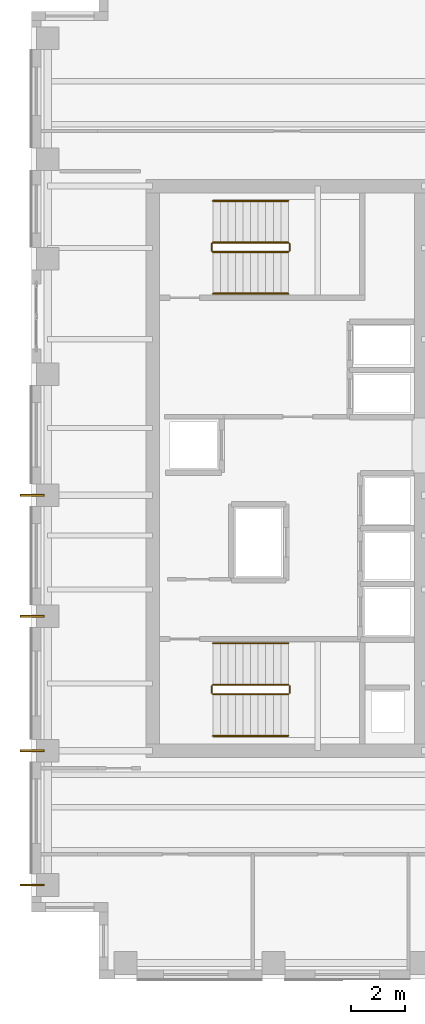
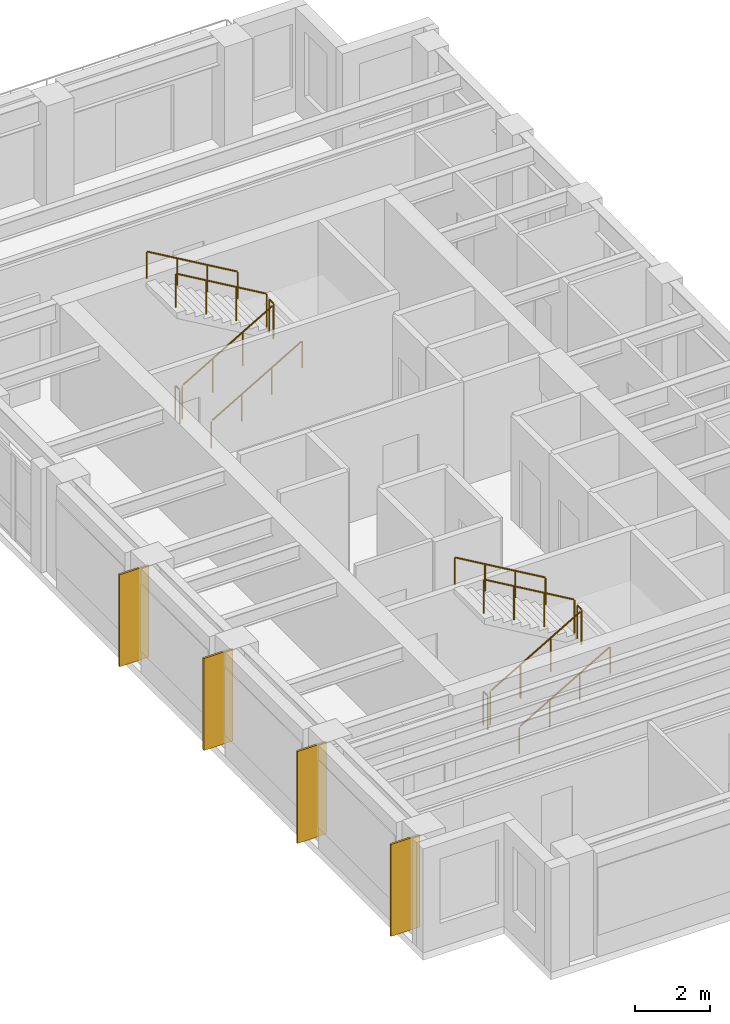
# One storey, part 12 of 14: 12 railings, 4 coverings.
"""IFC4 building model written with IfcOpenShell, lengths in metres."""

from ifc_helpers import new_model, si_unit, direction, frame, origin, origin_2d, place, context, subcontext, project, spatial, rectangle, circle, extrude, source, transform, mapped, material, layer, layer_set, type_object, element, save


model = new_model("IFC4")

# Units and contexts
model_context = context("Model", 3, precision=1e-05, world=origin(), true_north=direction((0.0, 1.0)))
body_context = subcontext(model_context, "Body", "Model", "MODEL_VIEW")
ifc_project = project(units=[si_unit("LENGTHUNIT", "METRE"), si_unit("AREAUNIT", "SQUARE_METRE"), si_unit("VOLUMEUNIT", "CUBIC_METRE"), si_unit("PLANEANGLEUNIT", "RADIAN"), si_unit("MASSUNIT", "GRAM", prefix="KILO")], contexts=[model_context])

# Site, building, storey
site_placement = place(None, origin())
site = spatial("IfcSite", under=ifc_project, at=site_placement, CompositionType="ELEMENT")
building_placement = place(site_placement, origin())
building = spatial("IfcBuilding", under=site, at=building_placement, Name="Kharzan Plaza Tower", CompositionType="ELEMENT")
storey_placement = place(building_placement, frame((0.0, 0.0, 212.39990234375)))
storey = spatial("IfcBuildingStorey", under=building, at=storey_placement, Name="L57", CompositionType="ELEMENT", Elevation=212.39990234375)

# Railings
ifc_material_1 = material(Name="Painted Galvanized Architectural Steel", Category="steel")
ifc_layer_1 = layer(ifc_material_1, 0.074951171875)
ifc_layer_set_1 = layer_set([ifc_layer_1], Name="Painted Galvanized Architectural Steel")
railing_type_1 = type_object("IfcRailingType", Name="RL-GUARD-1120", PredefinedType="BALUSTRADE", material=ifc_layer_set_1)
shared_shape_1 = source(origin(), body_context, "Body", "SweptSolid", [
    extrude(circle(Radius=0.02392578125, at=origin_2d()), frame((0.0, 0.0263671875, 1.09619140625), z_axis=(0.0, 1.0, 0.0), x_axis=(-1.0, 0.0, 0.0)), (0.0, 0.0, 1.0), 0.197021484375),
    extrude(circle(Radius=0.02099609375, at=origin_2d()), origin(), (0.0, 0.0, 1.0), 1.072021484375),
    extrude(circle(Radius=0.02099609375, at=origin_2d()), frame((0.0, 0.25, 0.0)), (0.0, 0.0, 1.0), 1.072021484375),
])
for number, where, name in (
    (1, (9.60009765625, 10.64990234375, 1.800048828125), "L57 ST-1 stair guard 2"),
    (2, (6.699951171875, 10.64990234375, 0.0), "L57 ST-1 stair guard 4"),
    (3, (9.60009765625, 27.10009765625, 1.800048828125), "L57 ST-2 stair guard 2"),
    (4, (6.699951171875, 27.10009765625, 0.0), "L57 ST-2 stair guard 4"),
):
    element("IfcRailing", number, at=place(storey_placement, frame(where)), inside=storey, type_object=railing_type_1, Name=name, PredefinedType="BALUSTRADE", context=body_context, shape_type="MappedRepresentation", body=[
        mapped(shared_shape_1, transform((0.0, 0.0, 0.0), x_axis=(1.0, 0.0, 0.0), y_axis=(0.0, 1.0, 0.0), z_axis=(0.0, 0.0, 1.0))),
    ])

# Coverings
ifc_material_2 = material(Name="Honed Riyadh Limestone", Category="masonry")
ifc_layer_2 = layer(ifc_material_2, 0.06005859375)
ifc_layer_set_2 = layer_set([ifc_layer_2], Name="Honed Riyadh Limestone")
covering_type = type_object("IfcCoveringType", Name="COV-CLAD-STONE", PredefinedType="CLADDING", material=ifc_layer_set_2)
shared_shape_2 = source(origin(), body_context, "Body", "SweptSolid", [
    extrude(rectangle(XDim=0.06005859375, YDim=0.89990234375, at=origin_2d()), origin(), (0.0, 0.0, 1.0), 3.0),
])
for number, where, z_axis, x_axis, name in (
    (5, (0.02001953125, 13.5, 0.10009765625), (0.0, 0.0, 1.0), (0.0, 1.0, 0.0), "L57 Limestone Pier Rainscreen Cladding TCW-135"),
    (6, (0.02001953125, 18.0, 0.10009765625), (0.0, 0.0, 1.0), (0.0, 1.0, 0.0), "L57 Limestone Pier Rainscreen Cladding TCW-180"),
    (7, (0.02001953125, 3.5, 0.10009765625), (0.0, 0.0, 1.0), (0.0, 1.0, 0.0), "L57 Limestone Pier Rainscreen Cladding TCW-35"),
    (8, (0.02001953125, 8.5, 0.10009765625), (0.0, 0.0, 1.0), (0.0, 1.0, 0.0), "L57 Limestone Pier Rainscreen Cladding TCW-85"),
):
    element("IfcCovering", number, at=place(storey_placement, frame(where, z_axis=z_axis, x_axis=x_axis)), inside=storey, type_object=covering_type, Name=name, PredefinedType="CLADDING", context=body_context, shape_type="MappedRepresentation", body=[
        mapped(shared_shape_2, transform((0.0, 0.0, 0.0), x_axis=(1.0, 0.0, 0.0), y_axis=(0.0, 1.0, 0.0), z_axis=(0.0, 0.0, 1.0))),
    ])

# Railings
shared_shape_3 = source(origin(), body_context, "Body", "SweptSolid", [
    extrude(circle(Radius=0.02392578125, at=origin_2d()), frame((-0.02294921875, 0.0, 1.109375), z_axis=(-0.863360870873, 0.0, 0.504586966384), x_axis=(0.0, -1.0, 0.0)), (0.0, 0.0, 1.0), 3.190185546875),
    extrude(circle(Radius=0.02099609375, at=origin_2d()), origin(), (0.0, 0.0, 1.0), 1.072021484375),
    extrude(circle(Radius=0.02099609375, at=origin_2d()), frame((-0.933349609375, 0.0, 0.54541015625)), (0.0, 0.0, 1.0), 1.072021484375),
    extrude(circle(Radius=0.02099609375, at=origin_2d()), frame((-1.86669921875, 0.0, 1.091064453125)), (0.0, 0.0, 1.0), 1.072021484375),
    extrude(circle(Radius=0.02099609375, at=origin_2d()), frame((-2.800048828125, 0.0, 1.636474609375)), (0.0, 0.0, 1.0), 1.072021484375),
])
for number, where, name in (
    (9, (9.550048828125, 10.949951171875, 1.963623046875), "L57 ST-1 stair guard 3"),
    (10, (9.550048828125, 27.39990234375, 1.963623046875), "L57 ST-2 stair guard 3"),
):
    element("IfcRailing", number, at=place(storey_placement, frame(where)), inside=storey, type_object=railing_type_1, Name=name, PredefinedType="BALUSTRADE", context=body_context, shape_type="MappedRepresentation", body=[
        mapped(shared_shape_3, transform((0.0, 0.0, 0.0), x_axis=(1.0, 0.0, 0.0), y_axis=(0.0, 1.0, 0.0), z_axis=(0.0, 0.0, 1.0))),
    ])
ifc_material_3 = material(Name="Brushed Stainless Steel", Category="steel")
ifc_layer_3 = layer(ifc_material_3, 0.050048828125)
ifc_layer_set_3 = layer_set([ifc_layer_3], Name="Brushed Stainless Steel")
railing_type_2 = type_object("IfcRailingType", Name="RL-STAIR-HR920", PredefinedType="HANDRAIL", material=ifc_layer_set_3)
shared_shape_4 = source(origin(), body_context, "Body", "SweptSolid", [
    extrude(circle(Radius=0.02392578125, at=origin_2d()), frame((-0.02294921875, 0.0, 0.88916015625), z_axis=(-0.863360870873, 0.0, 0.504586966384), x_axis=(0.0, -1.0, 0.0)), (0.0, 0.0, 1.0), 3.190185546875),
    extrude(circle(Radius=0.02099609375, at=origin_2d()), origin(), (0.0, 0.0, 1.0), 0.851806640625),
    extrude(circle(Radius=0.02099609375, at=origin_2d()), frame((-0.933349609375, 0.0, 0.54541015625)), (0.0, 0.0, 1.0), 0.851806640625),
    extrude(circle(Radius=0.02099609375, at=origin_2d()), frame((-1.86669921875, 0.0, 1.091064453125)), (0.0, 0.0, 1.0), 0.851806640625),
    extrude(circle(Radius=0.02099609375, at=origin_2d()), frame((-2.800048828125, 0.0, 1.636474609375)), (0.0, 0.0, 1.0), 0.851806640625),
])
for number, where, name in (
    (11, (9.550048828125, 12.5, 1.963623046875), "L57 ST-1 stair handrail 2"),
    (12, (9.550048828125, 28.949951171875, 1.963623046875), "L57 ST-2 stair handrail 2"),
):
    element("IfcRailing", number, at=place(storey_placement, frame(where)), inside=storey, type_object=railing_type_2, Name=name, PredefinedType="HANDRAIL", context=body_context, shape_type="MappedRepresentation", body=[
        mapped(shared_shape_4, transform((0.0, 0.0, 0.0), x_axis=(1.0, 0.0, 0.0), y_axis=(0.0, 1.0, 0.0), z_axis=(0.0, 0.0, 1.0))),
    ])
shared_shape_5 = source(origin(), body_context, "Body", "SweptSolid", [
    extrude(circle(Radius=0.02392578125, at=origin_2d()), frame((0.02294921875, 0.0, 1.109375), z_axis=(0.863393664356, 0.0, 0.504530851732), x_axis=(0.0, 1.0, 0.0)), (0.0, 0.0, 1.0), 3.190185546875),
    extrude(circle(Radius=0.02099609375, at=origin_2d()), origin(), (0.0, 0.0, 1.0), 1.072021484375),
    extrude(circle(Radius=0.02099609375, at=origin_2d()), frame((0.933349609375, 0.0, 0.54541015625)), (0.0, 0.0, 1.0), 1.072021484375),
    extrude(circle(Radius=0.02099609375, at=origin_2d()), frame((1.86669921875, 0.0, 1.0908203125)), (0.0, 0.0, 1.0), 1.072021484375),
    extrude(circle(Radius=0.02099609375, at=origin_2d()), frame((2.800048828125, 0.0, 1.63623046875)), (0.0, 0.0, 1.0), 1.072021484375),
])
for number, where, name in (
    (13, (6.75, 10.60009765625, 0.163818359375), "L57 ST-1 stair guard 1"),
    (14, (6.75, 27.050048828125, 0.163818359375), "L57 ST-2 stair guard 1"),
):
    element("IfcRailing", number, at=place(storey_placement, frame(where)), inside=storey, type_object=railing_type_1, Name=name, PredefinedType="BALUSTRADE", context=body_context, shape_type="MappedRepresentation", body=[
        mapped(shared_shape_5, transform((0.0, 0.0, 0.0), x_axis=(1.0, 0.0, 0.0), y_axis=(0.0, 1.0, 0.0), z_axis=(0.0, 0.0, 1.0))),
    ])
shared_shape_6 = source(origin(), body_context, "Body", "SweptSolid", [
    extrude(circle(Radius=0.02392578125, at=origin_2d()), frame((0.02294921875, 0.0, 0.88916015625), z_axis=(0.863393664356, 0.0, 0.504530851732), x_axis=(0.0, 1.0, 0.0)), (0.0, 0.0, 1.0), 3.190185546875),
    extrude(circle(Radius=0.02099609375, at=origin_2d()), origin(), (0.0, 0.0, 1.0), 0.851806640625),
    extrude(circle(Radius=0.02099609375, at=origin_2d()), frame((0.933349609375, 0.0, 0.54541015625)), (0.0, 0.0, 1.0), 0.851806640625),
    extrude(circle(Radius=0.02099609375, at=origin_2d()), frame((1.86669921875, 0.0, 1.0908203125)), (0.0, 0.0, 1.0), 0.851806640625),
    extrude(circle(Radius=0.02099609375, at=origin_2d()), frame((2.800048828125, 0.0, 1.63623046875)), (0.0, 0.0, 1.0), 0.851806640625),
])
for number, where, name in (
    (15, (6.75, 9.050048828125, 0.163818359375), "L57 ST-1 stair handrail 1"),
    (16, (6.75, 25.5, 0.163818359375), "L57 ST-2 stair handrail 1"),
):
    element("IfcRailing", number, at=place(storey_placement, frame(where)), inside=storey, type_object=railing_type_2, Name=name, PredefinedType="HANDRAIL", context=body_context, shape_type="MappedRepresentation", body=[
        mapped(shared_shape_6, transform((0.0, 0.0, 0.0), x_axis=(1.0, 0.0, 0.0), y_axis=(0.0, 1.0, 0.0), z_axis=(0.0, 0.0, 1.0))),
    ])

save(model, "model.ifc")
